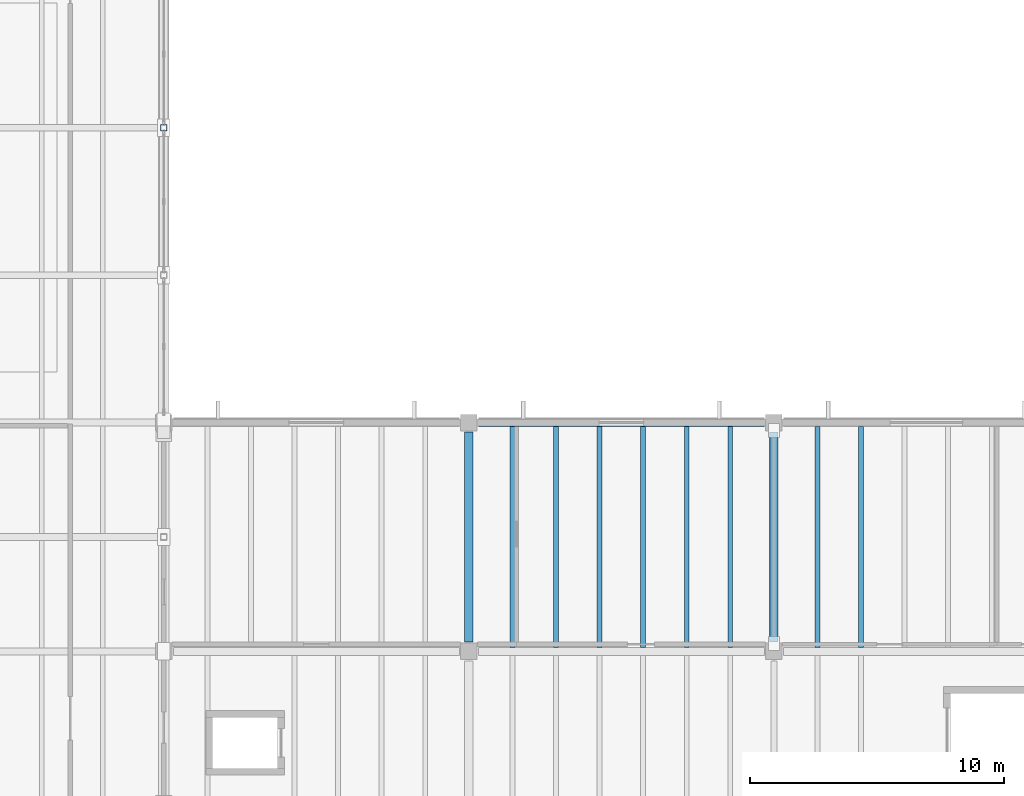
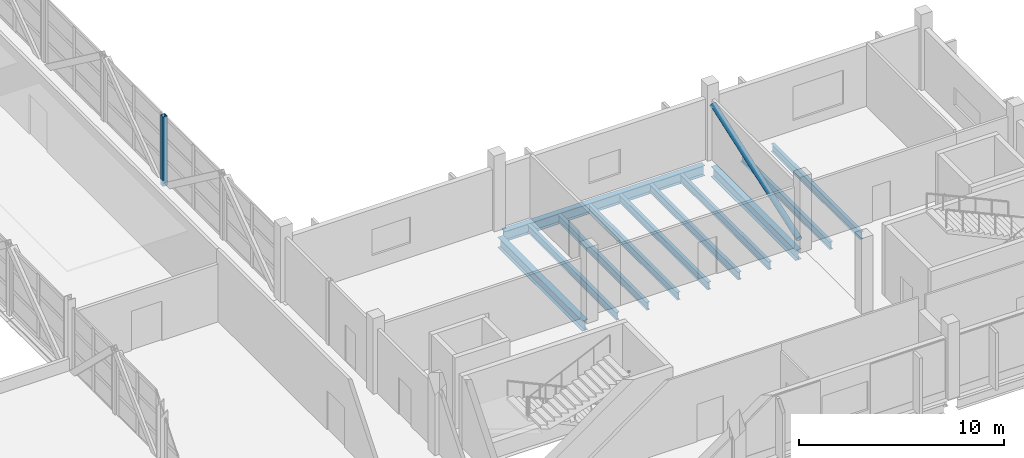
# One storey, part 32 of 63: 11 beams, 2 members.
"""IFC4 building model written with IfcOpenShell, lengths in metres."""

import ifcopenshell
import ifcopenshell.guid

model = None  # the IFC model being written
_history = None  # IfcOwnerHistory: only IFC2X3 demands one
_inside = {}  # id of a spatial element -> (the spatial element, [elements in it])
_under = {}  # id of a project, library or spatial element -> (it, [spatial elements below it])
_declared = {}  # id of a project -> (the project, [libraries it declares])
_typed = {}  # id of a type object -> (the type object, [elements of that type])
_made_of = {}  # id of a material, layer set ... -> (it, [elements and type objects made of it])


def new_model(schema):
    """Start an empty IFC model of exactly this schema.

    Asked for "IFC4X3", IfcOpenShell would pick the latest addendum, in which some entities
    have other attributes; the version numbers below select the first issue.
    IFC2X3 requires an IfcOwnerHistory on every rooted entity: one is made here for all.
    """
    global model, _history
    if schema == "IFC4X3":
        model = ifcopenshell.file(schema_version=(4, 3, 0, 0))
    else:
        model = ifcopenshell.file(schema=schema)
    _inside.clear()
    _under.clear()
    _declared.clear()
    _typed.clear()
    _made_of.clear()
    _history = None
    if model.schema == "IFC2X3":
        org = make("IfcOrganization", Name="unknown")
        user = make(
            "IfcPersonAndOrganization",
            ThePerson=make("IfcPerson", FamilyName="unknown"),
            TheOrganization=org,
        )
        app = make(
            "IfcApplication",
            ApplicationDeveloper=org,
            Version="unknown",
            ApplicationFullName="unknown",
            ApplicationIdentifier="unknown",
        )
        _history = make(
            "IfcOwnerHistory",
            OwningUser=user,
            OwningApplication=app,
            ChangeAction="ADDED",
            CreationDate=0,
        )
    return model


def make(cls, **values):
    """One entity of the class cls with the attributes given. An attribute that is None is left unset."""
    return model.create_entity(
        cls, **{name: value for name, value in values.items() if value is not None}
    )


def rooted(cls, **values):
    """An entity with a GlobalId (a new one), such as an element, a storey or a relation."""
    return make(cls, GlobalId=ifcopenshell.guid.new(), OwnerHistory=_history, **values)


def si_unit(unit_type, name, prefix=None):
    """IfcSIUnit, for example si_unit("LENGTHUNIT", "METRE", prefix="MILLI")."""
    return make("IfcSIUnit", UnitType=unit_type, Prefix=prefix, Name=name)


def assignment(units):
    """IfcUnitAssignment: the units of a project."""
    return None if units is None else make("IfcUnitAssignment", Units=units)


def point(xyz):
    """IfcCartesianPoint."""
    return None if xyz is None else make("IfcCartesianPoint", Coordinates=xyz)


def direction(xyz):
    """IfcDirection."""
    return None if xyz is None else make("IfcDirection", DirectionRatios=xyz)


def frame(location, z_axis=None, x_axis=None):
    """IfcAxis2Placement3D, a coordinate frame: its origin and axes. An axis left out is left unset."""
    return make(
        "IfcAxis2Placement3D",
        Location=point(location),
        Axis=direction(z_axis),
        RefDirection=direction(x_axis),
    )


def frame_2d(location, x_axis=None):
    """IfcAxis2Placement2D, a coordinate frame in the plane: its origin and x axis."""
    return make(
        "IfcAxis2Placement2D", Location=point(location), RefDirection=direction(x_axis)
    )


def origin():
    """The frame at (0, 0, 0) with its axes left unset."""
    return frame((0.0, 0.0, 0.0))


def origin_2d():
    """The frame at (0, 0) in the plane with its x axis left unset."""
    return frame_2d((0.0, 0.0))


def place(relative_to, where):
    """IfcLocalPlacement: puts the frame where relative to a parent placement (None: the world)."""
    return make(
        "IfcLocalPlacement", PlacementRelTo=relative_to, RelativePlacement=where
    )


def context(
    kind, dimensions, precision=None, world=None, true_north=None, identifier=None
):
    """IfcGeometricRepresentationContext, for example the 3D "Model" context."""
    return make(
        "IfcGeometricRepresentationContext",
        ContextIdentifier=identifier,
        ContextType=kind,
        CoordinateSpaceDimension=dimensions,
        Precision=precision,
        WorldCoordinateSystem=world,
        TrueNorth=true_north,
    )


def subcontext(parent, identifier, kind, view, scale=None):
    """IfcGeometricRepresentationSubContext, for example "Body" below "Model"."""
    return make(
        "IfcGeometricRepresentationSubContext",
        ContextIdentifier=identifier,
        ContextType=kind,
        ParentContext=parent,
        TargetScale=scale,
        TargetView=view,
    )


def project(units=None, contexts=None):
    """IfcProject with its units and contexts."""
    return rooted(
        "IfcProject",
        Name="project",
        RepresentationContexts=contexts,
        UnitsInContext=assignment(units),
    )


def spatial(cls, under=None, at=None, **own):
    """A site, building, storey or space (cls), placed at a placement, below another one or the project."""
    s = rooted(cls, ObjectPlacement=at, **own)
    if under is not None:
        _under.setdefault(under.id(), (under, []))[1].append(s)
    return s


def profile(cls, at=None, kind="AREA", **sizes):
    """A parametric profile (cls). Its sizes go by their IFC names, for example OverallWidth=200.0."""
    return make(cls, ProfileType=kind, Position=at, **sizes)


def hollow_rectangle(**sizes):
    """IfcRectangleHollowProfileDef."""
    return profile("IfcRectangleHollowProfileDef", **sizes)


def hollow_circle(**sizes):
    """IfcCircleHollowProfileDef."""
    return profile("IfcCircleHollowProfileDef", **sizes)


def i_section(**sizes):
    """IfcIShapeProfileDef."""
    return profile("IfcIShapeProfileDef", **sizes)


def extrude(swept, where, along, depth):
    """IfcExtrudedAreaSolid: the profile swept, set in the frame where, extruded along a direction by depth."""
    return make(
        "IfcExtrudedAreaSolid",
        SweptArea=swept,
        Position=where,
        ExtrudedDirection=direction(along),
        Depth=depth,
    )


def shape(context_of_items, identifier, shape_type, items):
    """IfcShapeRepresentation: the items that make up one representation, for example the "Body"."""
    return make(
        "IfcShapeRepresentation",
        ContextOfItems=context_of_items,
        RepresentationIdentifier=identifier,
        RepresentationType=shape_type,
        Items=items,
    )


def material(Name=None, Category=None):
    """IfcMaterial."""
    return make("IfcMaterial", Name=Name, Category=Category)


def material_profile(
    of_material, cross_section, Name=None, Category=None, Priority=None
):
    """IfcMaterialProfile: a cross section and its material."""
    return make(
        "IfcMaterialProfile",
        Name=Name,
        Material=of_material,
        Profile=cross_section,
        Priority=Priority,
        Category=Category,
    )


def profile_set(profiles, Name=None, composite=None):
    """IfcMaterialProfileSet."""
    return make(
        "IfcMaterialProfileSet",
        Name=Name,
        MaterialProfiles=profiles,
        CompositeProfile=composite,
    )


def made_of(thing, what):
    """Note that an element or type object is made of a material, layer set ...; save() writes the relation."""
    if what is not None:
        _made_of.setdefault(what.id(), (what, []))[1].append(thing)
    return thing


def type_object(cls, material=None, **own):
    """A type object (cls), such as IfcWallType, which elements share."""
    return made_of(rooted(cls, **own), material)


def element(
    cls,
    number,
    at=None,
    inside=None,
    cuts=None,
    type_object=None,
    material=None,
    context=None,
    identifier="Body",
    shape_type=None,
    held_by="IfcProductDefinitionShape",
    body=None,
    shapes=None,
    **own,
):
    """One element of the class cls, such as IfcWall. Its Tag is "e" and its number.

    at: its placement. inside: the storey or other place that contains it. cuts: it is an
    opening in that element (IfcRelVoidsElement). A single representation is given by context,
    identifier, shape_type and body (its items); several are given by shapes. held_by: the class
    of the entity that holds the representations. save() writes the other relations.
    """
    e = rooted(cls, Tag="e%d" % number, ObjectPlacement=at, **own)
    if body is not None:
        shapes = [shape(context, identifier, shape_type, body)]
    if shapes is not None:
        e.Representation = make(held_by, Representations=shapes)
    if inside is not None:
        _inside.setdefault(inside.id(), (inside, []))[1].append(e)
    if cuts is not None:
        rooted(
            "IfcRelVoidsElement", RelatingBuildingElement=cuts, RelatedOpeningElement=e
        )
    if type_object is not None:
        _typed.setdefault(type_object.id(), (type_object, []))[1].append(e)
    return made_of(e, material)


def aggregate(whole, parts):
    """IfcRelAggregates: a whole, such as a stair, and the parts it consists of."""
    return rooted("IfcRelAggregates", RelatingObject=whole, RelatedObjects=parts)


def save(model, path):
    """Write the relations noted so far, then the file.

    IfcRelAggregates (storeys below a building ...), IfcRelContainedInSpatialStructure (elements
    in a storey), IfcRelDefinesByType, IfcRelAssociatesMaterial and IfcRelDeclares: one each for
    every whole, place, type object, material and project.
    """
    for whole, parts in _under.values():
        aggregate(whole, parts)
    for where, things in _inside.values():
        rooted(
            "IfcRelContainedInSpatialStructure",
            RelatedElements=things,
            RelatingStructure=where,
        )
    for kind, things in _typed.values():
        rooted("IfcRelDefinesByType", RelatedObjects=things, RelatingType=kind)
    for what, things in _made_of.values():
        rooted("IfcRelAssociatesMaterial", RelatedObjects=things, RelatingMaterial=what)
    for by, libraries in _declared.values():
        rooted("IfcRelDeclares", RelatingContext=by, RelatedDefinitions=libraries)
    model.write(path)


model = new_model("IFC4")

# Units and contexts
model_context = context("Model", 3, precision=1e-05, world=origin(), true_north=direction((0.0, 1.0)))
body_context = subcontext(model_context, "Body", "Model", "MODEL_VIEW")
ifc_project = project(units=[si_unit("LENGTHUNIT", "METRE"), si_unit("AREAUNIT", "SQUARE_METRE"), si_unit("VOLUMEUNIT", "CUBIC_METRE"), si_unit("PLANEANGLEUNIT", "RADIAN"), si_unit("MASSUNIT", "GRAM", prefix="KILO")], contexts=[model_context])

# Site, building, storey
site_placement = place(None, origin())
site = spatial("IfcSite", under=ifc_project, at=site_placement, CompositionType="ELEMENT")
building_placement = place(site_placement, origin())
building = spatial("IfcBuilding", under=site, at=building_placement, Name="Kelmvaro Bay Concert Hall", CompositionType="ELEMENT")
storey_placement = place(building_placement, frame((0.0, 0.0, 13.800048828125)))
storey = spatial("IfcBuildingStorey", under=building, at=storey_placement, Name="L03", CompositionType="ELEMENT", Elevation=13.800048828125)

# Member
ifc_material_1 = material(Name="Steel ASTM A500 Grade C", Category="steel")
ifc_material_profile_1 = material_profile(ifc_material_1, hollow_rectangle(XDim=0.25, YDim=0.25, WallThickness=0.010009765625, at=origin_2d()), Name="HSS250X250X10")
ifc_profile_set_1 = profile_set([ifc_material_profile_1], Name="Steel ASTM A500 Grade C")
member_type_1 = type_object("IfcMemberType", Name="Bridge Truss Vertical Post HSS250x250x10", PredefinedType="STRUT", material=ifc_profile_set_1)
member_1_placement = place(storey_placement, frame((132.0, 50.60009765625, -0.322021484375), z_axis=(0.0, 0.0, 1.0), x_axis=(1.0, 0.0, 0.0)))
element("IfcMember", 1, at=member_1_placement, inside=storey, type_object=member_type_1, Name="Bridge Truss E Vertical Post 11", PredefinedType="STRUT", context=body_context, shape_type="SweptSolid", body=[
    extrude(hollow_rectangle(XDim=0.25, YDim=0.25, WallThickness=0.010009765625, at=origin_2d()), origin(), (0.0, 0.0, 1.0), 4.135009765625),
])

# Beams
ifc_material_2 = material(Name="Steel ASTM A992 Grade 50", Category="steel")
ifc_material_profile_2 = material_profile(ifc_material_2, i_section(OverallWidth=0.323974609375, OverallDepth=0.611083984375, WebThickness=0.0126953125, FlangeThickness=0.01904296875, at=origin_2d()), Name="W24X104")
ifc_profile_set_2 = profile_set([ifc_material_profile_2], Name="Steel ASTM A992 Grade 50")
beam_type_1 = type_object("IfcBeamType", Name="Foyer Frame Girder W24x104", PredefinedType="BEAM", material=ifc_profile_set_2)
beam_placement = place(storey_placement, frame((144.375, 39.0, -0.62548828125), z_axis=(1.0, 0.0, 0.0), x_axis=(0.0, 1.0, 0.0)))
element("IfcBeam", 2, at=beam_placement, inside=storey, type_object=beam_type_1, Name="L03 Girder BM-L03-EW-1368", PredefinedType="BEAM", context=body_context, shape_type="SweptSolid", body=[
    extrude(i_section(OverallWidth=0.323974609375, OverallDepth=0.611083984375, WebThickness=0.0126953125, FlangeThickness=0.01904296875, at=origin_2d()), origin(), (0.0, 0.0, 1.0), 11.25),
])
for number, where, z_axis, x_axis, name in (
    (3, (144.0, 30.375, -0.62548828125), (0.0, 1.0, 0.0), (-1.0, 0.0, 0.0), "L03 Girder BM-L03-NS-1453"),
    (4, (156.0, 30.375, -0.62548828125), (0.0, 1.0, 0.0), (-1.0, 0.0, 0.0), "L03 Girder BM-L03-NS-1458"),
):
    element("IfcBeam", number, at=place(storey_placement, frame(where, z_axis=z_axis, x_axis=x_axis)), inside=storey, type_object=beam_type_1, Name=name, PredefinedType="BEAM", context=body_context, shape_type="SweptSolid", body=[
        extrude(i_section(OverallWidth=0.323974609375, OverallDepth=0.611083984375, WebThickness=0.0126953125, FlangeThickness=0.01904296875, at=origin_2d()), origin(), (0.0, 0.0, 1.0), 8.25),
    ])

# Member
ifc_material_3 = material(Name="Steel ASTM A500 Grade C", Category="steel")
ifc_material_profile_3 = material_profile(ifc_material_3, hollow_circle(Radius=0.162109375, WallThickness=0.012451171875, at=origin_2d()), Name="CHS324X12")
ifc_profile_set_3 = profile_set([ifc_material_profile_3], Name="Steel ASTM A500 Grade C")
member_type_2 = type_object("IfcMemberType", Name="Foyer Portal Brace CHS324x12", PredefinedType="BRACE", material=ifc_profile_set_3)
member_2_placement = place(storey_placement, frame((156.0, 30.326904296875, 0.3505859375), z_axis=(0.0, 0.943592115114, 0.33111013318), x_axis=(-1.0, 0.0, 0.0)))
element("IfcMember", 5, at=member_2_placement, inside=storey, type_object=member_type_2, Name="L03 Lateral Diagonal Brace V4-ET", PredefinedType="BRACE", context=body_context, shape_type="SweptSolid", body=[
    extrude(hollow_circle(Radius=0.162109375, WallThickness=0.012451171875, at=origin_2d()), origin(), (0.0, 0.0, 1.0), 8.84521484375),
])

# Beams
ifc_material_4 = material(Name="Steel ASTM A992 Grade 50", Category="steel")
ifc_material_profile_4 = material_profile(ifc_material_4, i_section(OverallWidth=0.19091796875, OverallDepth=0.45703125, WebThickness=0.009033203125, FlangeThickness=0.014404296875, at=origin_2d()), Name="W18X50")
ifc_profile_set_4 = profile_set([ifc_material_profile_4], Name="Steel ASTM A992 Grade 50")
beam_type_2 = type_object("IfcBeamType", Name="Standard Composite Floor Joist W18x50", PredefinedType="JOIST", material=ifc_profile_set_4)
for number, where, z_axis, x_axis, name in (
    (6, (145.71435546875, 30.162109375, -0.548583984375), (0.0, 1.0, 0.0), (-1.0, 0.0, 0.0), "L03 Floor Joist JST-L03-1579"),
    (7, (147.4287109375, 30.162109375, -0.548583984375), (0.0, 1.0, 0.0), (-1.0, 0.0, 0.0), "L03 Floor Joist JST-L03-1580"),
    (8, (149.142822265625, 30.162109375, -0.548583984375), (0.0, 1.0, 0.0), (-1.0, 0.0, 0.0), "L03 Floor Joist JST-L03-1581"),
    (9, (150.857177734375, 30.162109375, -0.548583984375), (0.0, 1.0, 0.0), (-1.0, 0.0, 0.0), "L03 Floor Joist JST-L03-1582"),
    (10, (152.5712890625, 30.162109375, -0.548583984375), (0.0, 1.0, 0.0), (-1.0, 0.0, 0.0), "L03 Floor Joist JST-L03-1583"),
    (11, (154.28564453125, 30.162109375, -0.548583984375), (0.0, 1.0, 0.0), (-1.0, 0.0, 0.0), "L03 Floor Joist JST-L03-1584"),
    (12, (157.71435546875, 30.162109375, -0.548583984375), (0.0, 1.0, 0.0), (-1.0, 0.0, 0.0), "L03 Floor Joist JST-L03-1585"),
    (13, (159.4287109375, 30.162109375, -0.548583984375), (0.0, 1.0, 0.0), (-1.0, 0.0, 0.0), "L03 Floor Joist JST-L03-1586"),
):
    element("IfcBeam", number, at=place(storey_placement, frame(where, z_axis=z_axis, x_axis=x_axis)), inside=storey, type_object=beam_type_2, Name=name, PredefinedType="JOIST", context=body_context, shape_type="SweptSolid", body=[
        extrude(i_section(OverallWidth=0.19091796875, OverallDepth=0.45703125, WebThickness=0.009033203125, FlangeThickness=0.014404296875, at=origin_2d()), origin(), (0.0, 0.0, 1.0), 8.67578125),
    ])

save(model, "model.ifc")
